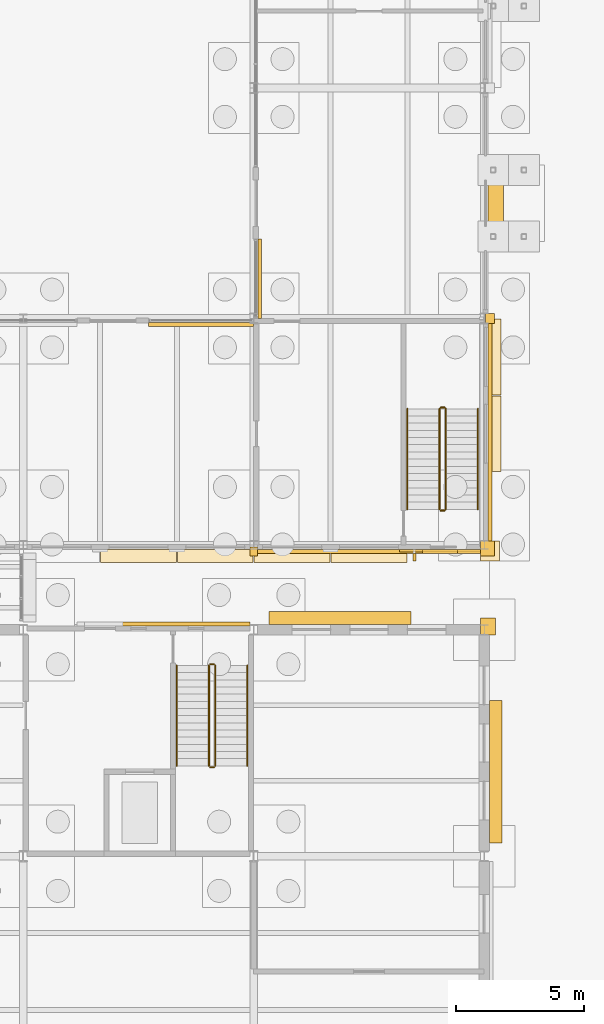
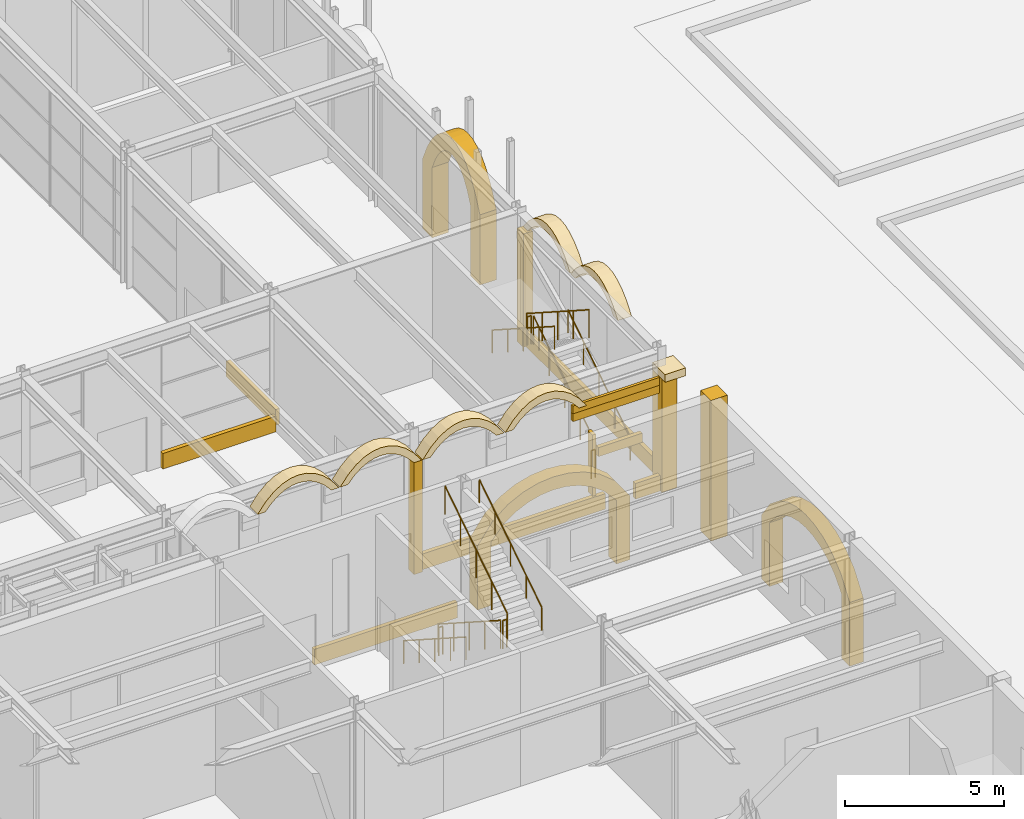
# One storey, part 106 of 126: 23 coverings, 12 railings, 1 shading device.
"""IFC4 building model written with IfcOpenShell, lengths in metres."""

from ifc_helpers import new_model, si_unit, direction, frame, origin, origin_2d, place, context, subcontext, project, spatial, polyline, rectangle, circle, outline, extrude, material, layer, layer_set, type_object, element, save


model = new_model("IFC4")

# Units and contexts
model_context = context("Model", 3, precision=1e-05, world=origin(), true_north=direction((0.0, 1.0)))
body_context = subcontext(model_context, "Body", "Model", "MODEL_VIEW")
ifc_project = project(units=[si_unit("LENGTHUNIT", "METRE"), si_unit("AREAUNIT", "SQUARE_METRE"), si_unit("VOLUMEUNIT", "CUBIC_METRE"), si_unit("PLANEANGLEUNIT", "RADIAN"), si_unit("MASSUNIT", "GRAM", prefix="KILO")], contexts=[model_context])

# Site, building, storey
site_placement = place(None, origin())
site = spatial("IfcSite", under=ifc_project, at=site_placement, CompositionType="ELEMENT")
building_placement = place(site_placement, origin())
building = spatial("IfcBuilding", under=site, at=building_placement, Name="Kallimachos Central Library", CompositionType="ELEMENT")
storey_placement = place(building_placement, origin())
storey = spatial("IfcBuildingStorey", under=building, at=storey_placement, Name="L00", CompositionType="ELEMENT", Elevation=0.0)

# Coverings
ifc_material_1 = material(Name="Glazed ceramic frieze, green")
ifc_layer_1 = layer(ifc_material_1, 0.10009765625)
ifc_layer_set_1 = layer_set([ifc_layer_1], Name="Glazed ceramic frieze, green")
covering_type_1 = type_object("IfcCoveringType", Name="Glazed ceramic frieze, green", PredefinedType="CLADDING", material=ifc_layer_set_1)
covering_1_placement = place(storey_placement, frame((108.77490234375, 47.929931640625, 4.02978515625), z_axis=(0.0, 0.0, 1.0), x_axis=(1.0, 0.0, 0.0)))
element("IfcCovering", 1, at=covering_1_placement, inside=storey, type_object=covering_type_1, Name="Glazed ceramic frieze, green -L00-019", PredefinedType="CLADDING", context=body_context, shape_type="SweptSolid", body=[
    extrude(rectangle(XDim=3.14990234375, YDim=0.10009765625, at=origin_2d()), origin(), (0.0, 0.0, 1.0), 0.300048828125),
])
ifc_material_2 = material(Name="Glazed ceramic frieze, ochre")
ifc_layer_2 = layer(ifc_material_2, 0.10009765625)
ifc_layer_set_2 = layer_set([ifc_layer_2], Name="Glazed ceramic frieze, ochre")
covering_type_2 = type_object("IfcCoveringType", Name="Glazed ceramic frieze, ochre", PredefinedType="CLADDING", material=ifc_layer_set_2)
covering_2_placement = place(storey_placement, frame((108.77490234375, 47.929931640625, 3.72998046875), z_axis=(0.0, 0.0, 1.0), x_axis=(1.0, 0.0, 0.0)))
element("IfcCovering", 2, at=covering_2_placement, inside=storey, type_object=covering_type_2, Name="Glazed ceramic frieze, ochre -L00-019", PredefinedType="CLADDING", context=body_context, shape_type="SweptSolid", body=[
    extrude(rectangle(XDim=3.14990234375, YDim=0.10009765625, at=origin_2d()), origin(), (0.0, 0.0, 1.0), 0.300048828125),
])

# Railings
ifc_material_3 = material(Name="Wrought iron")
railing_type_1 = type_object("IfcRailingType", Name="Stair guard", PredefinedType="GUARDRAIL", material=ifc_material_3)
railing_1_placement = place(storey_placement, frame((109.0, 49.550048828125, 0.179931640625)))
element("IfcRailing", 3, at=railing_1_placement, inside=storey, type_object=railing_type_1, Name="L00 ST12 stair guard 1", PredefinedType="GUARDRAIL", context=body_context, shape_type="SweptSolid", body=[
    extrude(circle(Radius=0.02392578125, at=origin_2d()), frame((0.0, 0.0, 1.076171875), z_axis=(0.0, 0.841171666519, 0.540768182723), x_axis=(-1.0, 0.0, 0.0)), (0.0, 0.0, 1.0), 4.66015625),
    extrude(circle(Radius=0.02099609375, at=origin_2d()), origin(), (0.0, 0.0, 1.0), 1.052001953125),
    extrude(circle(Radius=0.02099609375, at=origin_2d()), frame((0.0, 0.97998046875, 0.6298828125)), (0.0, 0.0, 1.0), 1.052001953125),
    extrude(circle(Radius=0.02099609375, at=origin_2d()), frame((0.0, 1.9599609375, 1.260009765625)), (0.0, 0.0, 1.0), 1.052001953125),
    extrude(circle(Radius=0.02099609375, at=origin_2d()), frame((0.0, 2.93994140625, 1.89013671875)), (0.0, 0.0, 1.0), 1.052001953125),
    extrude(circle(Radius=0.02099609375, at=origin_2d()), frame((0.0, 3.919921875, 2.52001953125)), (0.0, 0.0, 1.0), 1.052001953125),
])
railing_2_placement = place(storey_placement, frame((108.949951171875, 53.52001953125, 2.699951171875)))
element("IfcRailing", 4, at=railing_2_placement, inside=storey, type_object=railing_type_1, Name="L00 ST12 stair guard 2", PredefinedType="GUARDRAIL", context=body_context, shape_type="SweptSolid", body=[
    extrude(circle(Radius=0.02392578125, at=origin_2d()), frame((0.0, 0.0, 1.076171875), z_axis=(-1.0, 0.0, 0.0), x_axis=(0.0, -1.0, 0.0)), (0.0, 0.0, 1.0), 0.14990234375),
    extrude(circle(Radius=0.02099609375, at=origin_2d()), origin(), (0.0, 0.0, 1.0), 1.052001953125),
    extrude(circle(Radius=0.02099609375, at=origin_2d()), frame((-0.14990234375, 0.0, 0.0)), (0.0, 0.0, 1.0), 1.052001953125),
])
railing_3_placement = place(storey_placement, frame((108.75, 53.469970703125, 2.8798828125)))
element("IfcRailing", 5, at=railing_3_placement, inside=storey, type_object=railing_type_1, Name="L00 ST12 stair guard 3", PredefinedType="GUARDRAIL", context=body_context, shape_type="SweptSolid", body=[
    extrude(circle(Radius=0.02392578125, at=origin_2d()), frame((0.0, 0.0, 1.076171875), z_axis=(0.0, -0.841171666519, 0.540768182723), x_axis=(1.0, 0.0, 0.0)), (0.0, 0.0, 1.0), 4.66015625),
    extrude(circle(Radius=0.02099609375, at=origin_2d()), origin(), (0.0, 0.0, 1.0), 1.052001953125),
    extrude(circle(Radius=0.02099609375, at=origin_2d()), frame((0.0, -0.97998046875, 0.6298828125)), (0.0, 0.0, 1.0), 1.052001953125),
    extrude(circle(Radius=0.02099609375, at=origin_2d()), frame((0.0, -1.9599609375, 1.260009765625)), (0.0, 0.0, 1.0), 1.052001953125),
    extrude(circle(Radius=0.02099609375, at=origin_2d()), frame((0.0, -2.93994140625, 1.89013671875)), (0.0, 0.0, 1.0), 1.052001953125),
    extrude(circle(Radius=0.02099609375, at=origin_2d()), frame((0.0, -3.919921875, 2.52001953125)), (0.0, 0.0, 1.0), 1.052001953125),
])
railing_4_placement = place(storey_placement, frame((108.949951171875, 49.5, 0.0)))
element("IfcRailing", 6, at=railing_4_placement, inside=storey, type_object=railing_type_1, Name="L00 ST12 stair guard 4", PredefinedType="GUARDRAIL", context=body_context, shape_type="SweptSolid", body=[
    extrude(circle(Radius=0.02392578125, at=origin_2d()), frame((0.0, 0.0, 1.076171875), z_axis=(-1.0, 0.0, 0.0), x_axis=(0.0, -1.0, 0.0)), (0.0, 0.0, 1.0), 0.14990234375),
    extrude(circle(Radius=0.02099609375, at=origin_2d()), origin(), (0.0, 0.0, 1.0), 1.052001953125),
    extrude(circle(Radius=0.02099609375, at=origin_2d()), frame((-0.14990234375, 0.0, 0.0)), (0.0, 0.0, 1.0), 1.052001953125),
])
ifc_material_4 = material(Name="Wrought iron")
railing_type_2 = type_object("IfcRailingType", Name="Stair handrail", PredefinedType="HANDRAIL", material=ifc_material_4)
railing_5_placement = place(storey_placement, frame((110.25, 49.550048828125, 0.179931640625)))
element("IfcRailing", 7, at=railing_5_placement, inside=storey, type_object=railing_type_2, Name="L00 ST12 stair handrail 1", PredefinedType="HANDRAIL", context=body_context, shape_type="SweptSolid", body=[
    extrude(circle(Radius=0.02392578125, at=origin_2d()), frame((0.0, 0.0, 0.8759765625), z_axis=(0.0, 0.841171666519, 0.540768182723), x_axis=(-1.0, 0.0, 0.0)), (0.0, 0.0, 1.0), 4.66015625),
    extrude(circle(Radius=0.02099609375, at=origin_2d()), origin(), (0.0, 0.0, 1.0), 0.851806640625),
    extrude(circle(Radius=0.02099609375, at=origin_2d()), frame((0.0, 0.97998046875, 0.6298828125)), (0.0, 0.0, 1.0), 0.851806640625),
    extrude(circle(Radius=0.02099609375, at=origin_2d()), frame((0.0, 1.9599609375, 1.260009765625)), (0.0, 0.0, 1.0), 0.851806640625),
    extrude(circle(Radius=0.02099609375, at=origin_2d()), frame((0.0, 2.93994140625, 1.89013671875)), (0.0, 0.0, 1.0), 0.851806640625),
    extrude(circle(Radius=0.02099609375, at=origin_2d()), frame((0.0, 3.919921875, 2.52001953125)), (0.0, 0.0, 1.0), 0.851806640625),
])
railing_6_placement = place(storey_placement, frame((107.5, 53.469970703125, 2.8798828125)))
element("IfcRailing", 8, at=railing_6_placement, inside=storey, type_object=railing_type_2, Name="L00 ST12 stair handrail 2", PredefinedType="HANDRAIL", context=body_context, shape_type="SweptSolid", body=[
    extrude(circle(Radius=0.02392578125, at=origin_2d()), frame((0.0, 0.0, 0.8759765625), z_axis=(0.0, -0.841171666519, 0.540768182723), x_axis=(1.0, 0.0, 0.0)), (0.0, 0.0, 1.0), 4.66015625),
    extrude(circle(Radius=0.02099609375, at=origin_2d()), origin(), (0.0, 0.0, 1.0), 0.851806640625),
    extrude(circle(Radius=0.02099609375, at=origin_2d()), frame((0.0, -0.97998046875, 0.6298828125)), (0.0, 0.0, 1.0), 0.851806640625),
    extrude(circle(Radius=0.02099609375, at=origin_2d()), frame((0.0, -1.9599609375, 1.260009765625)), (0.0, 0.0, 1.0), 0.851806640625),
    extrude(circle(Radius=0.02099609375, at=origin_2d()), frame((0.0, -2.93994140625, 1.89013671875)), (0.0, 0.0, 1.0), 0.851806640625),
    extrude(circle(Radius=0.02099609375, at=origin_2d()), frame((0.0, -3.919921875, 2.52001953125)), (0.0, 0.0, 1.0), 0.851806640625),
])
ifc_material_5 = material(Name="Steel S355J2", Category="steel")
railing_type_3 = type_object("IfcRailingType", Name="Stair handrail 900", PredefinedType="HANDRAIL", material=ifc_material_5)
railing_7_placement = place(storey_placement, frame((98.5, 43.449951171875, 0.179931640625)))
element("IfcRailing", 9, at=railing_7_placement, inside=storey, type_object=railing_type_3, Name="L00 ST14 stair handrail 1", PredefinedType="HANDRAIL", context=body_context, shape_type="SweptSolid", body=[
    extrude(circle(Radius=0.02392578125, at=origin_2d()), frame((0.0, 0.0, 0.8759765625), z_axis=(0.0, -0.841171666519, 0.540768182723), x_axis=(1.0, 0.0, 0.0)), (0.0, 0.0, 1.0), 4.66015625),
    extrude(circle(Radius=0.02099609375, at=origin_2d()), origin(), (0.0, 0.0, 1.0), 0.851806640625),
    extrude(circle(Radius=0.02099609375, at=origin_2d()), frame((0.0, -0.97998046875, 0.6298828125)), (0.0, 0.0, 1.0), 0.851806640625),
    extrude(circle(Radius=0.02099609375, at=origin_2d()), frame((0.0, -1.9599609375, 1.260009765625)), (0.0, 0.0, 1.0), 0.851806640625),
    extrude(circle(Radius=0.02099609375, at=origin_2d()), frame((0.0, -2.93994140625, 1.89013671875)), (0.0, 0.0, 1.0), 0.851806640625),
    extrude(circle(Radius=0.02099609375, at=origin_2d()), frame((0.0, -3.919921875, 2.52001953125)), (0.0, 0.0, 1.0), 0.851806640625),
])
railing_8_placement = place(storey_placement, frame((101.25, 39.530029296875, 2.8798828125)))
element("IfcRailing", 10, at=railing_8_placement, inside=storey, type_object=railing_type_3, Name="L00 ST14 stair handrail 2", PredefinedType="HANDRAIL", context=body_context, shape_type="SweptSolid", body=[
    extrude(circle(Radius=0.02392578125, at=origin_2d()), frame((0.0, 0.0, 0.8759765625), z_axis=(0.0, 0.841171666519, 0.540768182723), x_axis=(-1.0, 0.0, 0.0)), (0.0, 0.0, 1.0), 4.66015625),
    extrude(circle(Radius=0.02099609375, at=origin_2d()), origin(), (0.0, 0.0, 1.0), 0.851806640625),
    extrude(circle(Radius=0.02099609375, at=origin_2d()), frame((0.0, 0.97998046875, 0.6298828125)), (0.0, 0.0, 1.0), 0.851806640625),
    extrude(circle(Radius=0.02099609375, at=origin_2d()), frame((0.0, 1.9599609375, 1.260009765625)), (0.0, 0.0, 1.0), 0.851806640625),
    extrude(circle(Radius=0.02099609375, at=origin_2d()), frame((0.0, 2.93994140625, 1.89013671875)), (0.0, 0.0, 1.0), 0.851806640625),
    extrude(circle(Radius=0.02099609375, at=origin_2d()), frame((0.0, 3.919921875, 2.52001953125)), (0.0, 0.0, 1.0), 0.851806640625),
])

# Coverings
ifc_material_6 = material(Name="Pentelic marble arch ring", Category="masonry")
ifc_layer_3 = layer(ifc_material_6, 0.5)
ifc_layer_set_3 = layer_set([ifc_layer_3], Name="Stone arcade arch 500")
covering_type_3 = type_object("IfcCoveringType", Name="Stone arcade arch 500", PredefinedType="MOLDING", material=ifc_layer_set_3)
for number, where, z_axis, x_axis, name in (
    (11, (95.52001953125, 47.47998046875, 4.5), (0.0, -1.0, 0.0), (1.0, 0.0, 0.0), "Arcade arch 7"),
    (12, (98.52001953125, 47.47998046875, 4.5), (0.0, -1.0, 0.0), (1.0, 0.0, 0.0), "Arcade arch 8"),
    (13, (101.52001953125, 47.47998046875, 4.5), (0.0, -1.0, 0.0), (1.0, 0.0, 0.0), "Arcade arch 9"),
    (14, (104.52001953125, 47.47998046875, 4.5), (0.0, -1.0, 0.0), (1.0, 0.0, 0.0), "Arcade arch 10"),
    (15, (111.14990234375, 51.02001953125, 4.5), (1.0, 0.0, 0.0), (0.0, 1.0, 0.0), "Arcade arch 25"),
    (16, (111.14990234375, 54.02001953125, 4.5), (1.0, 0.0, 0.0), (0.0, 1.0, 0.0), "Arcade arch 26"),
):
    element("IfcCovering", number, at=place(storey_placement, frame(where, z_axis=z_axis, x_axis=x_axis)), inside=storey, type_object=covering_type_3, Name=name, PredefinedType="MOLDING", context=body_context, shape_type="SweptSolid", body=[
        extrude(outline(polyline([(0.0, 0.0), (0.280029296875, 0.0), (0.280029296875, 0.0), (0.52001953125, 0.2666015625), (0.760009765625, 0.462646484375), (1.0, 0.596435546875), (1.239990234375, 0.67431640625), (1.47998046875, 0.699951171875), (1.719970703125, 0.67431640625), (1.9599609375, 0.596435546875), (2.199951171875, 0.462646484375), (2.43994140625, 0.2666015625), (2.679931640625, 0.0), (2.679931640625, 0.0), (2.9599609375, 0.0), (2.9599609375, 0.0), (2.6640625, 0.38671875), (2.367919921875, 0.666259765625), (2.072021484375, 0.85498046875), (1.77587890625, 0.96435546875), (1.47998046875, 1.0), (1.18408203125, 0.96435546875), (0.887939453125, 0.85498046875), (0.592041015625, 0.666259765625), (0.2958984375, 0.38671875), (0.0, 0.0), (0.0, 0.0)])), origin(), (0.0, 0.0, -1.0), 0.5),
    ])
ifc_material_7 = material(Name="Pentelic marble arcade ring", Category="masonry")
ifc_layer_4 = layer(ifc_material_7, 0.5)
ifc_layer_set_4 = layer_set([ifc_layer_4], Name="Stone arcade ring 500")
covering_type_4 = type_object("IfcCoveringType", Name="Stone arcade ring 500", PredefinedType="MOLDING", material=ifc_layer_set_4)
covering_3_placement = place(storey_placement, frame((102.10009765625, 45.550048828125, 0.0), z_axis=(0.0, 1.0, 0.0), x_axis=(0.0, 0.0, 1.0)))
element("IfcCovering", 17, at=covering_3_placement, inside=storey, type_object=covering_type_4, Name="Arch ring -L00-019-5", PredefinedType="MOLDING", context=body_context, shape_type="SweptSolid", body=[
    extrude(outline(polyline([(0.0, 0.0), (2.449951171875, 0.0), (3.22021484375, 0.554931640625), (3.667724609375, 1.10986328125), (3.945556640625, 1.664794921875), (4.10009765625, 2.219970703125), (4.14990234375, 2.77490234375), (4.10009765625, 3.329833984375), (3.945556640625, 3.885009765625), (3.667724609375, 4.43994140625), (3.22021484375, 4.994873046875), (2.449951171875, 5.5498046875), (0.0, 5.5498046875), (0.0, 5.0498046875), (2.449951171875, 5.0498046875), (2.963623046875, 4.594970703125), (3.288330078125, 4.139892578125), (3.49560546875, 3.684814453125), (3.6123046875, 3.22998046875), (3.64990234375, 2.77490234375), (3.6123046875, 2.31982421875), (3.49560546875, 1.864990234375), (3.288330078125, 1.409912109375), (2.963623046875, 0.954833984375), (2.449951171875, 0.5), (0.0, 0.5), (0.0, 0.0)])), origin(), (0.0, 0.0, -1.0), 0.5),
])
covering_4_placement = place(storey_placement, frame((111.199951171875, 37.02490234375, 0.0), z_axis=(1.0, 0.0, 0.0), x_axis=(0.0, 0.0, 1.0)))
element("IfcCovering", 18, at=covering_4_placement, inside=storey, type_object=covering_type_4, Name="Arch ring -L00-025-8", PredefinedType="MOLDING", context=body_context, shape_type="SweptSolid", body=[
    extrude(outline(polyline([(0.0, 0.0), (2.449951171875, 0.0), (2.963623046875, -0.455078125), (3.288330078125, -0.91015625), (3.49560546875, -1.364990234375), (3.6123046875, -1.820068359375), (3.64990234375, -2.275146484375), (3.6123046875, -2.72998046875), (3.49560546875, -3.18505859375), (3.288330078125, -3.64013671875), (2.963623046875, -4.09521484375), (2.449951171875, -4.550048828125), (0.0, -4.550048828125), (0.0, -5.050048828125), (2.449951171875, -5.050048828125), (3.22021484375, -4.4951171875), (3.667724609375, -3.940185546875), (3.945556640625, -3.385009765625), (4.10009765625, -2.830078125), (4.14990234375, -2.275146484375), (4.10009765625, -1.72021484375), (3.945556640625, -1.1650390625), (3.667724609375, -0.610107421875), (3.22021484375, -0.05517578125), (2.449951171875, 0.5), (0.0, 0.5), (0.0, 0.0)])), origin(), (0.0, 0.0, -1.0), 0.5),
])
ifc_material_8 = material(Name="Pentelic marble cornice", Category="masonry")
ifc_layer_5 = layer(ifc_material_8, 0.449951171875)
ifc_layer_set_5 = layer_set([ifc_layer_5], Name="Stone cornice 450")
covering_type_5 = type_object("IfcCoveringType", Name="Stone cornice 450", PredefinedType="MOLDING", material=ifc_layer_set_5)
covering_5_placement = place(storey_placement, frame((110.72509765625, 47.925048828125, 4.35009765625), z_axis=(0.0, 0.0, 1.0), x_axis=(1.0, 0.0, 0.0)))
element("IfcCovering", 19, at=covering_5_placement, inside=storey, type_object=covering_type_5, Name="Stone cornice 450 corner", PredefinedType="MOLDING", context=body_context, shape_type="SweptSolid", body=[
    extrude(rectangle(XDim=0.75, YDim=0.7900390625, at=origin_2d()), origin(), (0.0, 0.0, 1.0), 0.300048828125),
])
ifc_material_9 = material(Name="Pentelic marble door surround", Category="masonry")
ifc_layer_6 = layer(ifc_material_9, 0.14990234375)
ifc_layer_set_6 = layer_set([ifc_layer_6], Name="Stone door surround 300")
covering_type_6 = type_object("IfcCoveringType", Name="Stone door surround 300", PredefinedType="MOLDING", material=ifc_layer_set_6)
covering_6_placement = place(storey_placement, frame((108.89990234375, 47.905029296875, 2.099853515625), z_axis=(0.0, 0.0, 1.0), x_axis=(1.0, 0.0, 0.0)))
element("IfcCovering", 20, at=covering_6_placement, inside=storey, type_object=covering_type_6, Name="Stone door surround 300 -L00-007", PredefinedType="MOLDING", context=body_context, shape_type="SweptSolid", body=[
    extrude(rectangle(XDim=1.60009765625, YDim=0.14990234375, at=origin_2d()), origin(), (0.0, 0.0, 1.0), 0.35009765625),
])
ifc_material_10 = material(Name="Pentelic marble portal arch", Category="masonry")
ifc_layer_7 = layer(ifc_material_10, 0.60009765625)
ifc_layer_set_7 = layer_set([ifc_layer_7], Name="Stone entrance portal 600")
covering_type_7 = type_object("IfcCoveringType", Name="Stone entrance portal 600", PredefinedType="MOLDING", material=ifc_layer_set_7)
covering_7_placement = place(storey_placement, frame((111.25, 59.699951171875, 0.60009765625), z_axis=(1.0, 0.0, 0.0), x_axis=(0.0, 1.0, 0.0)))
element("IfcCovering", 21, at=covering_7_placement, inside=storey, type_object=covering_type_7, Name="Entrance portal 2", PredefinedType="MOLDING", context=body_context, shape_type="SweptSolid", body=[
    extrude(outline(polyline([(0.0, 0.0), (0.60009765625, 0.0), (0.60009765625, 2.699951171875), (0.800048828125, 3.138916015625), (1.0, 3.458984375), (1.199951171875, 3.685791015625), (1.400146484375, 3.836181640625), (1.60009765625, 3.922119140625), (1.800048828125, 3.949951171875), (2.0, 3.922119140625), (2.199951171875, 3.836181640625), (2.400146484375, 3.685791015625), (2.60009765625, 3.458984375), (2.800048828125, 3.138916015625), (3.0, 2.699951171875), (3.0, 0.0), (3.60009765625, 0.0), (3.60009765625, 2.699951171875), (3.300048828125, 3.347900390625), (3.0, 3.822021484375), (2.699951171875, 4.15771484375), (2.400146484375, 4.381103515625), (2.10009765625, 4.508544921875), (1.800048828125, 4.5498046875), (1.5, 4.508544921875), (1.199951171875, 4.381103515625), (0.900146484375, 4.15771484375), (0.60009765625, 3.822021484375), (0.300048828125, 3.347900390625), (0.0, 2.699951171875), (0.0, 0.0)])), origin(), (0.0, 0.0, -1.0), 0.60009765625),
])
ifc_material_11 = material(Name="Pentelic marble pilaster", Category="masonry")
ifc_layer_8 = layer(ifc_material_11, 0.25)
ifc_layer_set_8 = layer_set([ifc_layer_8], Name="Stone pilaster 250")
covering_type_8 = type_object("IfcCoveringType", Name="Stone pilaster 250", PredefinedType="CLADDING", material=ifc_layer_set_8)
covering_8_placement = place(storey_placement, frame((101.5, 47.905029296875, 0.0), z_axis=(0.0, 0.0, 1.0), x_axis=(1.0, 0.0, 0.0)))
element("IfcCovering", 22, at=covering_8_placement, inside=storey, type_object=covering_type_8, Name="Stone pilaster 250 -L00-018", PredefinedType="CLADDING", context=body_context, shape_type="SweptSolid", body=[
    extrude(rectangle(XDim=0.300048828125, YDim=0.35009765625, at=origin_2d()), origin(), (0.0, 0.0, 1.0), 4.35009765625),
])
covering_9_placement = place(storey_placement, frame((110.72509765625, 57.0, 0.0), z_axis=(0.0, 0.0, 1.0), x_axis=(1.0, 0.0, 0.0)))
element("IfcCovering", 23, at=covering_9_placement, inside=storey, type_object=covering_type_8, Name="Stone pilaster 250 -L00-029", PredefinedType="CLADDING", context=body_context, shape_type="SweptSolid", body=[
    extrude(rectangle(XDim=0.35009765625, YDim=0.39990234375, at=origin_2d()), origin(), (0.0, 0.0, 1.0), 4.35009765625),
])
covering_10_placement = place(storey_placement, frame((110.64990234375, 44.97509765625, 0.0), z_axis=(0.0, 0.0, 1.0), x_axis=(1.0, 0.0, 0.0)))
element("IfcCovering", 24, at=covering_10_placement, inside=storey, type_object=covering_type_8, Name="Stone pilaster 250 corner", PredefinedType="CLADDING", context=body_context, shape_type="SweptSolid", body=[
    extrude(rectangle(XDim=0.60009765625, YDim=0.64990234375, at=origin_2d()), origin(), (0.0, 0.0, 1.0), 5.39990234375),
])
covering_11_placement = place(storey_placement, frame((110.625, 48.02490234375, 0.0), z_axis=(0.0, 0.0, 1.0), x_axis=(1.0, 0.0, 0.0)))
element("IfcCovering", 25, at=covering_11_placement, inside=storey, type_object=covering_type_8, Name="Stone pilaster 250 corner", PredefinedType="CLADDING", context=body_context, shape_type="SweptSolid", body=[
    extrude(rectangle(XDim=0.550048828125, YDim=0.590087890625, at=origin_2d()), origin(), (0.0, 0.0, 1.0), 4.35009765625),
])
ifc_material_12 = material(Name="Pentelic marble plinth course", Category="masonry")
ifc_layer_9 = layer(ifc_material_12, 0.14990234375)
ifc_layer_set_9 = layer_set([ifc_layer_9], Name="Stone plinth course 600")
covering_type_9 = type_object("IfcCoveringType", Name="Stone plinth course 600", PredefinedType="CLADDING", material=ifc_layer_set_9)
covering_12_placement = place(storey_placement, frame((105.0, 47.905029296875, 0.0), z_axis=(0.0, 0.0, 1.0), x_axis=(1.0, 0.0, 0.0)))
element("IfcCovering", 26, at=covering_12_placement, inside=storey, type_object=covering_type_9, Name="Stone plinth course 600 -L00-019", PredefinedType="CLADDING", context=body_context, shape_type="SweptSolid", body=[
    extrude(rectangle(XDim=6.699951171875, YDim=0.14990234375, at=origin_2d()), origin(), (0.0, 0.0, 1.0), 0.60009765625),
])
covering_13_placement = place(storey_placement, frame((109.89990234375, 47.905029296875, 0.0), z_axis=(0.0, 0.0, 1.0), x_axis=(1.0, 0.0, 0.0)))
element("IfcCovering", 27, at=covering_13_placement, inside=storey, type_object=covering_type_9, Name="Stone plinth course 600 -L00-019", PredefinedType="CLADDING", context=body_context, shape_type="SweptSolid", body=[
    extrude(rectangle(XDim=0.89990234375, YDim=0.14990234375, at=origin_2d()), origin(), (0.0, 0.0, 1.0), 0.60009765625),
])
covering_14_placement = place(storey_placement, frame((110.72509765625, 52.56005859375, 0.0), z_axis=(0.0, 0.0, 1.0), x_axis=(1.0, 0.0, 0.0)))
element("IfcCovering", 28, at=covering_14_placement, inside=storey, type_object=covering_type_9, Name="Stone plinth course 600 -L00-029", PredefinedType="CLADDING", context=body_context, shape_type="SweptSolid", body=[
    extrude(rectangle(XDim=0.14990234375, YDim=8.47998046875, at=origin_2d()), origin(), (0.0, 0.0, 1.0), 0.60009765625),
])
covering_15_placement = place(storey_placement, frame((98.75, 45.074951171875, 0.0), z_axis=(0.0, 0.0, 1.0), x_axis=(1.0, 0.0, 0.0)))
element("IfcCovering", 29, at=covering_15_placement, inside=storey, type_object=covering_type_9, Name="Stone plinth course 600 -L00-018", PredefinedType="CLADDING", context=body_context, shape_type="SweptSolid", body=[
    extrude(rectangle(XDim=5.199951171875, YDim=0.14990234375, at=origin_2d()), origin(), (0.0, 0.0, 1.0), 0.60009765625),
])
covering_16_placement = place(storey_placement, frame((99.449951171875, 56.764892578125, 0.0), z_axis=(0.0, 0.0, 1.0), x_axis=(1.0, 0.0, 0.0)))
element("IfcCovering", 30, at=covering_16_placement, inside=storey, type_object=covering_type_9, Name="Stone plinth course 600 cw", PredefinedType="CLADDING", context=body_context, shape_type="SweptSolid", body=[
    extrude(rectangle(XDim=4.10009765625, YDim=0.14990234375, at=origin_2d()), origin(), (0.0, 0.0, 1.0), 0.60009765625),
])
covering_17_placement = place(storey_placement, frame((101.735107421875, 58.550048828125, 0.0), z_axis=(0.0, 0.0, 1.0), x_axis=(1.0, 0.0, 0.0)))
element("IfcCovering", 31, at=covering_17_placement, inside=storey, type_object=covering_type_9, Name="Stone plinth course 600 cw", PredefinedType="CLADDING", context=body_context, shape_type="SweptSolid", body=[
    extrude(rectangle(XDim=0.14990234375, YDim=3.10009765625, at=origin_2d()), origin(), (0.0, 0.0, 1.0), 0.60009765625),
])

# Shading device
ifc_material_13 = material(Name="Pentelic marble fin", Category="masonry")
ifc_layer_10 = layer(ifc_material_13, 0.1201171875)
ifc_layer_set_10 = layer_set([ifc_layer_10], Name="Stone sun-shade fin 120")
shading_device_type = type_object("IfcShadingDeviceType", Name="Stone sun-shade fin 120", PredefinedType="USERDEFINED", material=ifc_layer_set_10)
shading_device_placement = place(storey_placement, frame((107.77490234375, 47.679931640625, 0.89990234375), z_axis=(0.0, 0.0, 1.0), x_axis=(1.0, 0.0, 0.0)))
element("IfcShadingDevice", 32, at=shading_device_placement, inside=storey, type_object=shading_device_type, Name="Stone sun-shade fin 120 -L00-019", ObjectType="FIN", PredefinedType="USERDEFINED", context=body_context, shape_type="SweptSolid", body=[
    extrude(rectangle(XDim=0.1201171875, YDim=0.300048828125, at=origin_2d()), origin(), (0.0, 0.0, 1.0), 2.35009765625),
])

# Railings
ifc_material_14 = material(Name="Steel S355J2", Category="steel")
railing_type_4 = type_object("IfcRailingType", Name="Wrought-iron guard 1100", PredefinedType="GUARDRAIL", material=ifc_material_14)
railing_9_placement = place(storey_placement, frame((99.75, 43.449951171875, 0.179931640625)))
element("IfcRailing", 33, at=railing_9_placement, inside=storey, type_object=railing_type_4, Name="L00 ST14 stair guard 1", PredefinedType="GUARDRAIL", context=body_context, shape_type="SweptSolid", body=[
    extrude(circle(Radius=0.02392578125, at=origin_2d()), frame((0.0, 0.0, 1.076171875), z_axis=(0.0, -0.841171666519, 0.540768182723), x_axis=(1.0, 0.0, 0.0)), (0.0, 0.0, 1.0), 4.66015625),
    extrude(circle(Radius=0.02099609375, at=origin_2d()), origin(), (0.0, 0.0, 1.0), 1.052001953125),
    extrude(circle(Radius=0.02099609375, at=origin_2d()), frame((0.0, -0.97998046875, 0.6298828125)), (0.0, 0.0, 1.0), 1.052001953125),
    extrude(circle(Radius=0.02099609375, at=origin_2d()), frame((0.0, -1.9599609375, 1.260009765625)), (0.0, 0.0, 1.0), 1.052001953125),
    extrude(circle(Radius=0.02099609375, at=origin_2d()), frame((0.0, -2.93994140625, 1.89013671875)), (0.0, 0.0, 1.0), 1.052001953125),
    extrude(circle(Radius=0.02099609375, at=origin_2d()), frame((0.0, -3.919921875, 2.52001953125)), (0.0, 0.0, 1.0), 1.052001953125),
])
railing_10_placement = place(storey_placement, frame((99.800048828125, 39.47998046875, 2.699951171875)))
element("IfcRailing", 34, at=railing_10_placement, inside=storey, type_object=railing_type_4, Name="L00 ST14 stair guard 2", PredefinedType="GUARDRAIL", context=body_context, shape_type="SweptSolid", body=[
    extrude(circle(Radius=0.02392578125, at=origin_2d()), frame((0.0, 0.0, 1.076171875), z_axis=(1.0, 0.0, 0.0), x_axis=(0.0, 1.0, 0.0)), (0.0, 0.0, 1.0), 0.14990234375),
    extrude(circle(Radius=0.02099609375, at=origin_2d()), origin(), (0.0, 0.0, 1.0), 1.052001953125),
    extrude(circle(Radius=0.02099609375, at=origin_2d()), frame((0.14990234375, 0.0, 0.0)), (0.0, 0.0, 1.0), 1.052001953125),
])
railing_11_placement = place(storey_placement, frame((100.0, 39.530029296875, 2.8798828125)))
element("IfcRailing", 35, at=railing_11_placement, inside=storey, type_object=railing_type_4, Name="L00 ST14 stair guard 3", PredefinedType="GUARDRAIL", context=body_context, shape_type="SweptSolid", body=[
    extrude(circle(Radius=0.02392578125, at=origin_2d()), frame((0.0, 0.0, 1.076171875), z_axis=(0.0, 0.841171666519, 0.540768182723), x_axis=(-1.0, 0.0, 0.0)), (0.0, 0.0, 1.0), 4.66015625),
    extrude(circle(Radius=0.02099609375, at=origin_2d()), origin(), (0.0, 0.0, 1.0), 1.052001953125),
    extrude(circle(Radius=0.02099609375, at=origin_2d()), frame((0.0, 0.97998046875, 0.6298828125)), (0.0, 0.0, 1.0), 1.052001953125),
    extrude(circle(Radius=0.02099609375, at=origin_2d()), frame((0.0, 1.9599609375, 1.260009765625)), (0.0, 0.0, 1.0), 1.052001953125),
    extrude(circle(Radius=0.02099609375, at=origin_2d()), frame((0.0, 2.93994140625, 1.89013671875)), (0.0, 0.0, 1.0), 1.052001953125),
    extrude(circle(Radius=0.02099609375, at=origin_2d()), frame((0.0, 3.919921875, 2.52001953125)), (0.0, 0.0, 1.0), 1.052001953125),
])
railing_12_placement = place(storey_placement, frame((99.800048828125, 43.5, 0.0)))
element("IfcRailing", 36, at=railing_12_placement, inside=storey, type_object=railing_type_4, Name="L00 ST14 stair guard 4", PredefinedType="GUARDRAIL", context=body_context, shape_type="SweptSolid", body=[
    extrude(circle(Radius=0.02392578125, at=origin_2d()), frame((0.0, 0.0, 1.076171875), z_axis=(1.0, 0.0, 0.0), x_axis=(0.0, 1.0, 0.0)), (0.0, 0.0, 1.0), 0.14990234375),
    extrude(circle(Radius=0.02099609375, at=origin_2d()), origin(), (0.0, 0.0, 1.0), 1.052001953125),
    extrude(circle(Radius=0.02099609375, at=origin_2d()), frame((0.14990234375, 0.0, 0.0)), (0.0, 0.0, 1.0), 1.052001953125),
])

save(model, "model.ifc")
